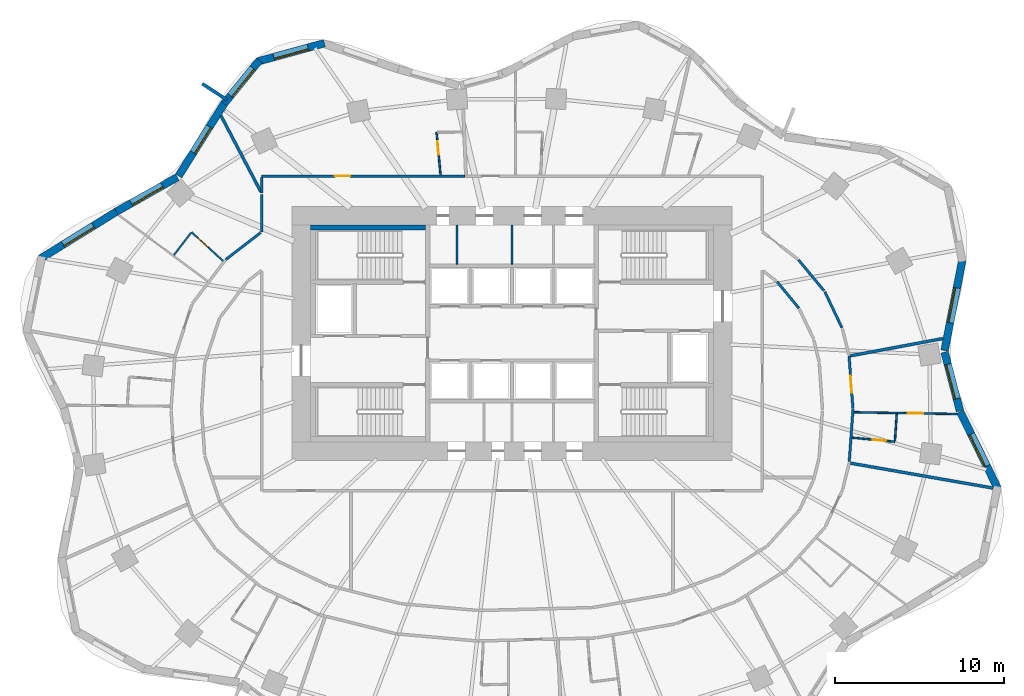
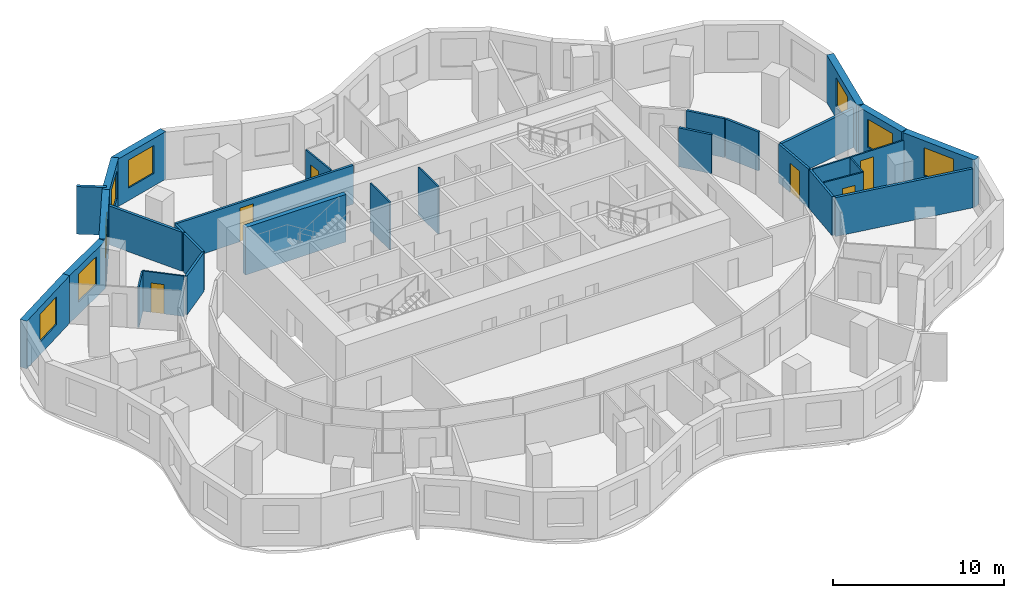
# One storey, part 7 of 10: 30 walls, 8 windows, 6 doors, 14 openings.
"""IFC4 building model written with IfcOpenShell, lengths in metres."""

from ifc_helpers import new_model, si_unit, direction, frame, frame_2d, origin, place, context, subcontext, project, spatial, rectangle, extrude, material, layer, layer_set, type_object, element, fill, save


model = new_model("IFC4")

# Units and contexts
model_context = context("Model", 3, precision=1e-05, world=origin(), true_north=direction((0.0, 1.0)))
body_context = subcontext(model_context, "Body", "Model", "MODEL_VIEW")
ifc_project = project(units=[si_unit("LENGTHUNIT", "METRE"), si_unit("AREAUNIT", "SQUARE_METRE"), si_unit("VOLUMEUNIT", "CUBIC_METRE"), si_unit("PLANEANGLEUNIT", "RADIAN"), si_unit("MASSUNIT", "GRAM", prefix="KILO")], contexts=[model_context])

# Site, building, storey
site_placement = place(None, origin())
site = spatial("IfcSite", under=ifc_project, at=site_placement, CompositionType="ELEMENT")
building_placement = place(site_placement, origin())
building = spatial("IfcBuilding", under=site, at=building_placement, Name="Rubra Terraces Tower", CompositionType="ELEMENT")
storey_placement = place(building_placement, frame((0.0, 0.0, 92.39990234375)))
storey = spatial("IfcBuildingStorey", under=building, at=storey_placement, Name="L21", CompositionType="ELEMENT", Elevation=92.39990234375)

# Walls
ifc_material_1 = material(Name="Twin plasterboard on staggered steel stud, acoustic mineral wool", Category="steel")
ifc_layer_1 = layer(ifc_material_1, 0.175048828125)
ifc_layer_set_1 = layer_set([ifc_layer_1], Name="Twin plasterboard on staggered steel stud, acoustic mineral wool")
wall_type_1 = type_object("IfcWallType", Name="ACOUSTIC PARTY WALL 175", PredefinedType="PARTITIONING", material=ifc_layer_set_1)
wall_1_placement = place(storey_placement, frame((-17.19287109375, 17.35986328125, 0.0), z_axis=(0.0, 0.0, 1.0), x_axis=(0.46402494572, -0.885822132118, 0.0)))
element("IfcWall", 1, at=wall_1_placement, inside=storey, type_object=wall_type_1, Name="PARTITION", PredefinedType="PARTITIONING", context=body_context, shape_type="SweptSolid", body=[
    extrude(rectangle(XDim=5.08203125, YDim=0.175048828125, at=frame_2d((2.541015625, 0.0))), origin(), (0.0, 0.0, 1.0), 2.7841796875),
])
wall_2_placement = place(storey_placement, frame((28.435791015625, -4.63818359375, 0.0), z_axis=(0.0, 0.0, 1.0), x_axis=(-0.985072773891, 0.172138404023, 0.0)))
element("IfcWall", 2, at=wall_2_placement, inside=storey, type_object=wall_type_1, Name="PARTITION", PredefinedType="PARTITIONING", context=body_context, shape_type="SweptSolid", body=[
    extrude(rectangle(XDim=8.56787109375, YDim=0.175048828125, at=frame_2d((4.283935546875, 0.0))), origin(), (0.0, 0.0, 1.0), 2.7841796875),
])
wall_3_placement = place(storey_placement, frame((25.466796875, 4.198974609375, 0.0), z_axis=(0.0, 0.0, 1.0), x_axis=(-0.982999998107, -0.183605565608, 0.0)))
element("IfcWall", 3, at=wall_3_placement, inside=storey, type_object=wall_type_1, Name="PARTITION", PredefinedType="PARTITIONING", context=body_context, shape_type="SweptSolid", body=[
    extrude(rectangle(XDim=5.56884765625, YDim=0.175048828125, at=frame_2d((2.784423828125, 0.0))), origin(), (0.0, 0.0, 1.0), 2.7841796875),
])

# Wall, opening, window
ifc_material_2 = material(Name="Brick masonry red-brown", Category="masonry")
ifc_layer_2 = layer(ifc_material_2, 0.449951171875)
ifc_layer_set_2 = layer_set([ifc_layer_2], Name="Brick masonry red-brown")
wall_type_2 = type_object("IfcWallType", Name="Brick facade wall 450", PredefinedType="SOLIDWALL", material=ifc_layer_set_2)
wall_4_placement = place(storey_placement, frame((26.469482421875, -0.0791015625, 0.0), z_axis=(0.0, 0.0, 1.0), x_axis=(-0.252446779859, 0.967610780913, 0.0)))
wall_4 = element("IfcWall", 4, at=wall_4_placement, inside=storey, type_object=wall_type_2, Name="Facade wall L21 bay 1", PredefinedType="SOLIDWALL", context=body_context, shape_type="SweptSolid", body=[
    extrude(rectangle(XDim=3.5947265625, YDim=0.449951171875, at=frame_2d((1.79736328125, 0.0))), origin(), (0.0, 0.0, 1.0), 3.400146484375),
])
opening_1_placement = place(wall_4_placement, frame((0.747314453125, 0.0, 0.89990234375)))
opening_1 = element("IfcOpeningElement", 5, at=opening_1_placement, cuts=wall_4, Name="Opening W1", PredefinedType="OPENING", context=body_context, shape_type="SweptSolid", body=[
    extrude(rectangle(XDim=2.10009765625, YDim=2.0, at=frame_2d((1.050048828125, 1.0))), frame((0.0, 0.23486328125, 0.0), z_axis=(0.0, -1.0, 0.0), x_axis=(1.0, 0.0, 0.0)), (0.0, 0.0, 1.0), 0.469970703125),
])
ifc_material_3 = material(Name="Clear glass in aluminium frame", Category="aluminium")
window_type_1 = type_object("IfcWindowType", Name="Fixed deep-set window 2100 x 2000", PartitioningType="SINGLE_PANEL", PredefinedType="WINDOW", material=ifc_material_3)
window_1_placement = place(opening_1_placement, origin())
window_1 = element("IfcWindow", 6, at=window_1_placement, inside=storey, type_object=window_type_1, Name="Window L21 bay 1", OverallHeight=2.0, OverallWidth=2.10009765625, PartitioningType="SINGLE_PANEL", PredefinedType="WINDOW", context=body_context, shape_type="SweptSolid", body=[
    extrude(rectangle(XDim=2.10009765625, YDim=2.0, at=frame_2d((1.050048828125, 1.0))), frame((0.0, 0.135009765625, 0.0), z_axis=(0.0, -1.0, 0.0), x_axis=(1.0, 0.0, 0.0)), (0.0, 0.0, 1.0), 0.06005859375),
])
fill(opening_1, window_1)

wall_5_placement = place(storey_placement, frame((25.561279296875, 3.490478515625, 0.0), z_axis=(0.0, 0.0, 1.0), x_axis=(0.192494026297, 0.981298145234, 0.0)))
wall_5 = element("IfcWall", 7, at=wall_5_placement, inside=storey, type_object=wall_type_2, Name="Facade wall L21 bay 2", PredefinedType="SOLIDWALL", context=body_context, shape_type="SweptSolid", body=[
    extrude(rectangle(XDim=5.446044921875, YDim=0.449951171875, at=frame_2d((2.72314453125, 0.0))), origin(), (0.0, 0.0, 1.0), 3.400146484375),
])
opening_2_placement = place(wall_5_placement, frame((1.673095703125, 0.0, 0.89990234375)))
opening_2 = element("IfcOpeningElement", 8, at=opening_2_placement, cuts=wall_5, Name="Opening W1", PredefinedType="OPENING", context=body_context, shape_type="SweptSolid", body=[
    extrude(rectangle(XDim=2.10009765625, YDim=2.0, at=frame_2d((1.050048828125, 1.0))), frame((0.0, 0.23486328125, 0.0), z_axis=(0.0, -1.0, 0.0), x_axis=(1.0, 0.0, 0.0)), (0.0, 0.0, 1.0), 0.469970703125),
])
window_2_placement = place(opening_2_placement, origin())
window_2 = element("IfcWindow", 9, at=window_2_placement, inside=storey, type_object=window_type_1, Name="Window L21 bay 2", OverallHeight=2.0, OverallWidth=2.10009765625, PartitioningType="SINGLE_PANEL", PredefinedType="WINDOW", context=body_context, shape_type="SweptSolid", body=[
    extrude(rectangle(XDim=2.10009765625, YDim=2.0, at=frame_2d((1.050048828125, 1.0))), frame((0.0, 0.135009765625, 0.0), z_axis=(0.0, -1.0, 0.0), x_axis=(1.0, 0.0, 0.0)), (0.0, 0.0, 1.0), 0.06005859375),
])
fill(opening_2, window_2)

wall_6_placement = place(storey_placement, frame((-11.08251953125, 21.64990234375, 0.0), z_axis=(0.0, 0.0, 1.0), x_axis=(-0.964483204983, -0.264144179011, 0.0)))
wall_6 = element("IfcWall", 10, at=wall_6_placement, inside=storey, type_object=wall_type_2, Name="Facade wall L21 bay 14", PredefinedType="SOLIDWALL", context=body_context, shape_type="SweptSolid", body=[
    extrude(rectangle(XDim=4.103759765625, YDim=0.449951171875, at=frame_2d((2.0517578125, 0.0))), origin(), (0.0, 0.0, 1.0), 3.400146484375),
])
opening_3_placement = place(wall_6_placement, frame((1.001953125, 0.0, 0.89990234375)))
opening_3 = element("IfcOpeningElement", 11, at=opening_3_placement, cuts=wall_6, Name="Opening W1", PredefinedType="OPENING", context=body_context, shape_type="SweptSolid", body=[
    extrude(rectangle(XDim=2.10009765625, YDim=2.0, at=frame_2d((1.050048828125, 1.0))), frame((0.0, 0.23486328125, 0.0), z_axis=(0.0, -1.0, 0.0), x_axis=(1.0, 0.0, 0.0)), (0.0, 0.0, 1.0), 0.469970703125),
])
window_3_placement = place(opening_3_placement, origin())
window_3 = element("IfcWindow", 12, at=window_3_placement, inside=storey, type_object=window_type_1, Name="Window L21 bay 14", OverallHeight=2.0, OverallWidth=2.10009765625, PartitioningType="SINGLE_PANEL", PredefinedType="WINDOW", context=body_context, shape_type="SweptSolid", body=[
    extrude(rectangle(XDim=2.10009765625, YDim=2.0, at=frame_2d((1.050048828125, 1.0))), frame((0.0, 0.135009765625, 0.0), z_axis=(0.0, -1.0, 0.0), x_axis=(1.0, 0.0, 0.0)), (0.0, 0.0, 1.0), 0.06005859375),
])
fill(opening_3, window_3)

wall_7_placement = place(storey_placement, frame((-14.925537109375, 20.640869140625, 0.0), z_axis=(0.0, 0.0, 1.0), x_axis=(-0.631548074669, -0.775336720001, 0.0)))
wall_7 = element("IfcWall", 13, at=wall_7_placement, inside=storey, type_object=wall_type_2, Name="Facade wall L21 bay 15", PredefinedType="SOLIDWALL", context=body_context, shape_type="SweptSolid", body=[
    extrude(rectangle(XDim=3.3076171875, YDim=0.449951171875, at=frame_2d((1.65380859375, 0.0))), origin(), (0.0, 0.0, 1.0), 3.400146484375),
])
opening_4_placement = place(wall_7_placement, frame((0.603759765625, 0.0, 0.89990234375)))
opening_4 = element("IfcOpeningElement", 14, at=opening_4_placement, cuts=wall_7, Name="Opening W1", PredefinedType="OPENING", context=body_context, shape_type="SweptSolid", body=[
    extrude(rectangle(XDim=2.10009765625, YDim=2.0, at=frame_2d((1.050048828125, 1.0))), frame((0.0, 0.23486328125, 0.0), z_axis=(0.0, -1.0, 0.0), x_axis=(1.0, 0.0, 0.0)), (0.0, 0.0, 1.0), 0.469970703125),
])
window_4_placement = place(opening_4_placement, origin())
window_4 = element("IfcWindow", 15, at=window_4_placement, inside=storey, type_object=window_type_1, Name="Window L21 bay 15", OverallHeight=2.0, OverallWidth=2.10009765625, PartitioningType="SINGLE_PANEL", PredefinedType="WINDOW", context=body_context, shape_type="SweptSolid", body=[
    extrude(rectangle(XDim=2.10009765625, YDim=2.0, at=frame_2d((1.050048828125, 1.0))), frame((0.0, 0.135009765625, 0.0), z_axis=(0.0, -1.0, 0.0), x_axis=(1.0, 0.0, 0.0)), (0.0, 0.0, 1.0), 0.06005859375),
])
fill(opening_4, window_4)

wall_8_placement = place(storey_placement, frame((-16.998291015625, 18.0986328125, 0.0), z_axis=(0.0, 0.0, 1.0), x_axis=(-0.532745661304, -0.846275404559, 0.0)))
wall_8 = element("IfcWall", 16, at=wall_8_placement, inside=storey, type_object=wall_type_2, Name="Facade wall L21 bay 16", PredefinedType="SOLIDWALL", context=body_context, shape_type="SweptSolid", body=[
    extrude(rectangle(XDim=5.076171875, YDim=0.449951171875, at=frame_2d((2.5380859375, 0.0))), origin(), (0.0, 0.0, 1.0), 3.400146484375),
])
opening_5_placement = place(wall_8_placement, frame((1.63818359375, 0.0, 0.89990234375)))
opening_5 = element("IfcOpeningElement", 17, at=opening_5_placement, cuts=wall_8, Name="Opening W6", PredefinedType="OPENING", context=body_context, shape_type="SweptSolid", body=[
    extrude(rectangle(XDim=1.800048828125, YDim=2.0, at=frame_2d((0.89990234375, 1.0))), frame((0.0, 0.23486328125, 0.0), z_axis=(0.0, -1.0, 0.0), x_axis=(1.0, 0.0, 0.0)), (0.0, 0.0, 1.0), 0.469970703125),
])
window_type_2 = type_object("IfcWindowType", Name="Fixed deep-set window at wind fin 1800 x 2000", PartitioningType="SINGLE_PANEL", PredefinedType="WINDOW", material=ifc_material_3)
window_5_placement = place(opening_5_placement, origin())
window_5 = element("IfcWindow", 18, at=window_5_placement, inside=storey, type_object=window_type_2, Name="Window L21 bay 16", OverallHeight=2.0, OverallWidth=1.800048828125, PartitioningType="SINGLE_PANEL", PredefinedType="WINDOW", context=body_context, shape_type="SweptSolid", body=[
    extrude(rectangle(XDim=1.800048828125, YDim=2.0, at=frame_2d((0.89990234375, 1.0))), frame((0.0, 0.135009765625, 0.0), z_axis=(0.0, -1.0, 0.0), x_axis=(1.0, 0.0, 0.0)), (0.0, 0.0, 1.0), 0.06005859375),
])
fill(opening_5, window_5)

wall_9_placement = place(storey_placement, frame((-19.77587890625, 13.730712890625, 0.0), z_axis=(0.0, 0.0, 1.0), x_axis=(-0.870610133829, -0.491973571318, 0.0)))
wall_9 = element("IfcWall", 19, at=wall_9_placement, inside=storey, type_object=wall_type_2, Name="Facade wall L21 bay 17", PredefinedType="SOLIDWALL", context=body_context, shape_type="SweptSolid", body=[
    extrude(rectangle(XDim=4.1337890625, YDim=0.449951171875, at=frame_2d((2.06689453125, 0.0))), origin(), (0.0, 0.0, 1.0), 3.400146484375),
])
opening_6_placement = place(wall_9_placement, frame((1.016845703125, 0.0, 0.89990234375)))
opening_6 = element("IfcOpeningElement", 20, at=opening_6_placement, cuts=wall_9, Name="Opening W1", PredefinedType="OPENING", context=body_context, shape_type="SweptSolid", body=[
    extrude(rectangle(XDim=2.10009765625, YDim=2.0, at=frame_2d((1.050048828125, 1.0))), frame((0.0, 0.23486328125, 0.0), z_axis=(0.0, -1.0, 0.0), x_axis=(1.0, 0.0, 0.0)), (0.0, 0.0, 1.0), 0.469970703125),
])
window_6_placement = place(opening_6_placement, origin())
window_6 = element("IfcWindow", 21, at=window_6_placement, inside=storey, type_object=window_type_1, Name="Window L21 bay 17", OverallHeight=2.0, OverallWidth=2.10009765625, PartitioningType="SINGLE_PANEL", PredefinedType="WINDOW", context=body_context, shape_type="SweptSolid", body=[
    extrude(rectangle(XDim=2.10009765625, YDim=2.0, at=frame_2d((1.050048828125, 1.0))), frame((0.0, 0.135009765625, 0.0), z_axis=(0.0, -1.0, 0.0), x_axis=(1.0, 0.0, 0.0)), (0.0, 0.0, 1.0), 0.06005859375),
])
fill(opening_6, window_6)

wall_10_placement = place(storey_placement, frame((-23.368408203125, 11.700927734375, 0.0), z_axis=(0.0, 0.0, 1.0), x_axis=(-0.850251408633, -0.526376806211, 0.0)))
wall_10 = element("IfcWall", 22, at=wall_10_placement, inside=storey, type_object=wall_type_2, Name="Facade wall L21 bay 18", PredefinedType="SOLIDWALL", context=body_context, shape_type="SweptSolid", body=[
    extrude(rectangle(XDim=5.30224609375, YDim=0.449951171875, at=frame_2d((2.651123046875, 0.0))), origin(), (0.0, 0.0, 1.0), 3.400146484375),
])
opening_7_placement = place(wall_10_placement, frame((1.601318359375, 0.0, 0.89990234375)))
opening_7 = element("IfcOpeningElement", 23, at=opening_7_placement, cuts=wall_10, Name="Opening W1", PredefinedType="OPENING", context=body_context, shape_type="SweptSolid", body=[
    extrude(rectangle(XDim=2.10009765625, YDim=2.0, at=frame_2d((1.050048828125, 1.0))), frame((0.0, 0.23486328125, 0.0), z_axis=(0.0, -1.0, 0.0), x_axis=(1.0, 0.0, 0.0)), (0.0, 0.0, 1.0), 0.469970703125),
])
window_7_placement = place(opening_7_placement, origin())
window_7 = element("IfcWindow", 24, at=window_7_placement, inside=storey, type_object=window_type_1, Name="Window L21 bay 18", OverallHeight=2.0, OverallWidth=2.10009765625, PartitioningType="SINGLE_PANEL", PredefinedType="WINDOW", context=body_context, shape_type="SweptSolid", body=[
    extrude(rectangle(XDim=2.10009765625, YDim=2.0, at=frame_2d((1.050048828125, 1.0))), frame((0.0, 0.135009765625, 0.0), z_axis=(0.0, -1.0, 0.0), x_axis=(1.0, 0.0, 0.0)), (0.0, 0.0, 1.0), 0.06005859375),
])
fill(opening_7, window_7)

wall_11_placement = place(storey_placement, frame((28.70703125, -4.672119140625, 0.0), z_axis=(0.0, 0.0, 1.0), x_axis=(-0.439053549989, 0.898460895221, 0.0)))
wall_11 = element("IfcWall", 25, at=wall_11_placement, inside=storey, type_object=wall_type_2, Name="Facade wall L21 bay 40", PredefinedType="SOLIDWALL", context=body_context, shape_type="SweptSolid", body=[
    extrude(rectangle(XDim=5.061767578125, YDim=0.449951171875, at=frame_2d((2.53076171875, 0.0))), origin(), (0.0, 0.0, 1.0), 3.400146484375),
])
opening_8_placement = place(wall_11_placement, frame((1.48095703125, 0.0, 0.89990234375)))
opening_8 = element("IfcOpeningElement", 26, at=opening_8_placement, cuts=wall_11, Name="Opening W1", PredefinedType="OPENING", context=body_context, shape_type="SweptSolid", body=[
    extrude(rectangle(XDim=2.10009765625, YDim=2.0, at=frame_2d((1.050048828125, 1.0))), frame((0.0, 0.23486328125, 0.0), z_axis=(0.0, -1.0, 0.0), x_axis=(1.0, 0.0, 0.0)), (0.0, 0.0, 1.0), 0.469970703125),
])
window_8_placement = place(opening_8_placement, origin())
window_8 = element("IfcWindow", 27, at=window_8_placement, inside=storey, type_object=window_type_1, Name="Window L21 bay 40", OverallHeight=2.0, OverallWidth=2.10009765625, PartitioningType="SINGLE_PANEL", PredefinedType="WINDOW", context=body_context, shape_type="SweptSolid", body=[
    extrude(rectangle(XDim=2.10009765625, YDim=2.0, at=frame_2d((1.050048828125, 1.0))), frame((0.0, 0.135009765625, 0.0), z_axis=(0.0, -1.0, 0.0), x_axis=(1.0, 0.0, 0.0)), (0.0, 0.0, 1.0), 0.06005859375),
])
fill(opening_8, window_8)

# Wall
ifc_layer_3 = layer(ifc_material_2, 0.199951171875)
ifc_layer_set_3 = layer_set([ifc_layer_3], Name="Brick masonry red-brown")
wall_type_3 = type_object("IfcWallType", Name="Brick wind fin 200", PredefinedType="SOLIDWALL", material=ifc_layer_set_3)
wall_12_placement = place(storey_placement, frame((-16.837890625, 18.298095703125, 0.0), z_axis=(0.0, 0.0, 1.0), x_axis=(-0.835871900419, 0.548924554097, 0.0)))
element("IfcWall", 28, at=wall_12_placement, inside=storey, type_object=wall_type_3, Name="Wind fin L21 9", PredefinedType="SOLIDWALL", context=body_context, shape_type="SweptSolid", body=[
    extrude(rectangle(XDim=1.750244140625, YDim=0.199951171875, at=frame_2d((0.875, 0.0))), origin(), (0.0, 0.0, 1.0), 3.400146484375),
])

# Wall, opening, door
ifc_material_4 = material(Name="Plasterboard on steel stud, mineral wool infill", Category="steel")
ifc_layer_4 = layer(ifc_material_4, 0.14990234375)
ifc_layer_set_4 = layer_set([ifc_layer_4], Name="Plasterboard on steel stud, mineral wool infill")
wall_type_4 = type_object("IfcWallType", Name="CORRIDOR PARTITION 150", PredefinedType="PARTITIONING", material=ifc_layer_set_4)
wall_13_placement = place(storey_placement, frame((-2.7919921875, 13.800048828125, 0.0), z_axis=(0.0, 0.0, 1.0), x_axis=(-1.0, 0.0, 0.0)))
wall_13 = element("IfcWall", 29, at=wall_13_placement, inside=storey, type_object=wall_type_4, Name="PARTITION", PredefinedType="PARTITIONING", context=body_context, shape_type="SweptSolid", body=[
    extrude(rectangle(XDim=12.008056640625, YDim=0.14990234375, at=frame_2d((6.00390625, 0.0))), origin(), (0.0, 0.0, 1.0), 2.7841796875),
])
opening_9_placement = place(wall_13_placement, frame((6.77099609375, 0.0, 0.0)))
opening_9 = element("IfcOpeningElement", 30, at=opening_9_placement, cuts=wall_13, Name="Opening 21-105", PredefinedType="OPENING", context=body_context, shape_type="SweptSolid", body=[
    extrude(rectangle(XDim=0.89990234375, YDim=2.39990234375, at=frame_2d((0.449951171875, 1.199951171875))), frame((0.0, 0.0849609375, 0.0), z_axis=(0.0, -1.0, 0.0), x_axis=(1.0, 0.0, 0.0)), (0.0, 0.0, 1.0), 0.169921875),
])
ifc_material_5 = material(Name="Veneered timber door leaf, fire-rated", Category="wood")
door_type_1 = type_object("IfcDoorType", Name="SUITE ENTRANCE DOOR 900 X 2400", OperationType="SINGLE_SWING_LEFT", PredefinedType="DOOR", material=ifc_material_5)
door_1_placement = place(opening_9_placement, origin())
door_1 = element("IfcDoor", 31, at=door_1_placement, inside=storey, type_object=door_type_1, Name="DOOR 21-105", OperationType="SINGLE_SWING_RIGHT", OverallHeight=2.39990234375, OverallWidth=0.89990234375, PredefinedType="DOOR", context=body_context, shape_type="SweptSolid", body=[
    extrude(rectangle(XDim=0.89990234375, YDim=2.39990234375, at=frame_2d((0.449951171875, 1.199951171875))), frame((0.0, 0.02490234375, 0.0), z_axis=(0.0, -1.0, 0.0), x_axis=(1.0, 0.0, 0.0)), (0.0, 0.0, 1.0), 0.050048828125),
])
fill(opening_9, door_1)

# Walls
wall_14_placement = place(storey_placement, frame((-14.800048828125, 13.72509765625, 0.0), z_axis=(0.0, 0.0, 1.0), x_axis=(0.0, -1.0, 0.0)))
element("IfcWall", 32, at=wall_14_placement, inside=storey, type_object=wall_type_4, Name="PARTITION", PredefinedType="PARTITIONING", context=body_context, shape_type="SweptSolid", body=[
    extrude(rectangle(XDim=0.933349609375, YDim=0.14990234375, at=frame_2d((0.466796875, 0.0))), origin(), (0.0, 0.0, 1.0), 2.7841796875),
])
wall_15_placement = place(storey_placement, frame((-14.800048828125, 12.716796875, 0.0), z_axis=(0.0, 0.0, 1.0), x_axis=(0.0, -1.0, 0.0)))
element("IfcWall", 33, at=wall_15_placement, inside=storey, type_object=wall_type_4, Name="PARTITION", PredefinedType="PARTITIONING", context=body_context, shape_type="SweptSolid", body=[
    extrude(rectangle(XDim=2.219970703125, YDim=0.14990234375, at=frame_2d((1.10986328125, 0.0))), origin(), (0.0, 0.0, 1.0), 2.7841796875),
])
wall_16_placement = place(storey_placement, frame((-14.859619140625, 10.451171875, 0.0), z_axis=(0.0, 0.0, 1.0), x_axis=(-0.791542595332, -0.611113999001, 0.0)))
element("IfcWall", 34, at=wall_16_placement, inside=storey, type_object=wall_type_4, Name="PARTITION", PredefinedType="PARTITIONING", context=body_context, shape_type="SweptSolid", body=[
    extrude(rectangle(XDim=2.604736328125, YDim=0.14990234375, at=frame_2d((1.30224609375, 0.0))), origin(), (0.0, 0.0, 1.0), 2.7841796875),
])
wall_17_placement = place(storey_placement, frame((19.92724609375, -3.07568359375, 0.0), z_axis=(0.0, 0.0, 1.0), x_axis=(0.071888451482, 0.997412678155, 0.0)))
element("IfcWall", 35, at=wall_17_placement, inside=storey, type_object=wall_type_4, Name="PARTITION", PredefinedType="PARTITIONING", context=body_context, shape_type="SweptSolid", body=[
    extrude(rectangle(XDim=3.083740234375, YDim=0.14990234375, at=frame_2d((1.5419921875, 0.0))), origin(), (0.0, 0.0, 1.0), 2.7841796875),
])

# Wall, opening, door
wall_18_placement = place(storey_placement, frame((20.1435546875, 0.07470703125, 0.0), z_axis=(0.0, 0.0, 1.0), x_axis=(-0.072547105324, 0.997364987108, 0.0)))
wall_18 = element("IfcWall", 36, at=wall_18_placement, inside=storey, type_object=wall_type_4, Name="PARTITION", PredefinedType="PARTITIONING", context=body_context, shape_type="SweptSolid", body=[
    extrude(rectangle(XDim=3.095947265625, YDim=0.14990234375, at=frame_2d((1.5478515625, 0.0))), origin(), (0.0, 0.0, 1.0), 2.7841796875),
])
opening_10_placement = place(wall_18_placement, frame((0.93310546875, 0.0, 0.0)))
opening_10 = element("IfcOpeningElement", 37, at=opening_10_placement, cuts=wall_18, Name="Opening 21-126", PredefinedType="OPENING", context=body_context, shape_type="SweptSolid", body=[
    extrude(rectangle(XDim=1.0, YDim=2.10009765625, at=frame_2d((0.5, 1.050048828125))), frame((0.0, 0.0849609375, 0.0), z_axis=(0.0, -1.0, 0.0), x_axis=(1.0, 0.0, 0.0)), (0.0, 0.0, 1.0), 0.169921875),
])
ifc_material_6 = material(Name="Painted timber door leaf", Category="wood")
door_type_2 = type_object("IfcDoorType", Name="ROOM DOOR 1000 X 2100", OperationType="SINGLE_SWING_LEFT", PredefinedType="DOOR", material=ifc_material_6)
door_2_placement = place(opening_10_placement, origin())
door_2 = element("IfcDoor", 38, at=door_2_placement, inside=storey, type_object=door_type_2, Name="DOOR 21-126", OperationType="SINGLE_SWING_RIGHT", OverallHeight=2.10009765625, OverallWidth=1.0, PredefinedType="DOOR", context=body_context, shape_type="SweptSolid", body=[
    extrude(rectangle(XDim=1.0, YDim=2.10009765625, at=frame_2d((0.5, 1.050048828125))), frame((0.0, 0.02490234375, 0.0), z_axis=(0.0, -1.0, 0.0), x_axis=(1.0, 0.0, 0.0)), (0.0, 0.0, 1.0), 0.050048828125),
])
fill(opening_10, door_2)

# Walls
wall_19_placement = place(storey_placement, frame((19.495361328125, 4.836181640625, 0.0), z_axis=(0.0, 0.0, 1.0), x_axis=(-0.428157819028, 0.903703979191, 0.0)))
element("IfcWall", 39, at=wall_19_placement, inside=storey, type_object=wall_type_4, Name="PARTITION", PredefinedType="PARTITIONING", context=body_context, shape_type="SweptSolid", body=[
    extrude(rectangle(XDim=2.349365234375, YDim=0.14990234375, at=frame_2d((1.1748046875, 0.0))), origin(), (0.0, 0.0, 1.0), 2.7841796875),
])
wall_20_placement = place(storey_placement, frame((18.44189453125, 7.01708984375, 0.0), z_axis=(0.0, 0.0, 1.0), x_axis=(-0.636538018119, 0.7712453251, 0.0)))
element("IfcWall", 40, at=wall_20_placement, inside=storey, type_object=wall_type_4, Name="PARTITION", PredefinedType="PARTITIONING", context=body_context, shape_type="SweptSolid", body=[
    extrude(rectangle(XDim=2.388671875, YDim=0.14990234375, at=frame_2d((1.1943359375, 0.0))), origin(), (0.0, 0.0, 1.0), 2.7841796875),
])
wall_21_placement = place(storey_placement, frame((15.66162109375, 7.557861328125, 0.0), z_axis=(0.0, 0.0, 1.0), x_axis=(0.636500564941, -0.7712762351, 0.0)))
element("IfcWall", 41, at=wall_21_placement, inside=storey, type_object=wall_type_4, Name="PARTITION", PredefinedType="PARTITIONING", context=body_context, shape_type="SweptSolid", body=[
    extrude(rectangle(XDim=2.037841796875, YDim=0.14990234375, at=frame_2d((1.01904296875, 0.0))), origin(), (0.0, 0.0, 1.0), 2.7841796875),
])
ifc_material_7 = material(Name="Concrete C40", Category="concrete")
ifc_layer_5 = layer(ifc_material_7, 0.300048828125)
ifc_layer_set_5 = layer_set([ifc_layer_5], Name="Concrete C40")
wall_type_5 = type_object("IfcWallType", Name="Core lining wall 300 concrete", PredefinedType="SOLIDWALL", material=ifc_layer_set_5)
wall_22_placement = place(storey_placement, frame((-11.89990234375, 10.75, 0.0), z_axis=(0.0, 0.0, 1.0), x_axis=(1.0, 0.0, 0.0)))
element("IfcWall", 42, at=wall_22_placement, inside=storey, type_object=wall_type_5, Name="CORE LINING WALL L21", PredefinedType="SOLIDWALL", context=body_context, shape_type="SweptSolid", body=[
    extrude(rectangle(XDim=6.7998046875, YDim=0.300048828125, at=frame_2d((3.39990234375, 0.0))), origin(), (0.0, 0.0, 1.0), 3.400146484375),
])

# Wall, opening, door
ifc_material_8 = material(Name="Plasterboard on steel stud", Category="steel")
ifc_layer_6 = layer(ifc_material_8, 0.10009765625)
ifc_layer_set_6 = layer_set([ifc_layer_6], Name="Plasterboard on steel stud")
wall_type_6 = type_object("IfcWallType", Name="ROOM PARTITION 100", PredefinedType="PARTITIONING", material=ifc_layer_set_6)
wall_23_placement = place(storey_placement, frame((-4.223876953125, 13.874755859375, 0.0), z_axis=(0.0, 0.0, 1.0), x_axis=(-0.09127675815, 0.995825563752, 0.0)))
wall_23 = element("IfcWall", 43, at=wall_23_placement, inside=storey, type_object=wall_type_6, Name="PARTITION", PredefinedType="PARTITIONING", context=body_context, shape_type="SweptSolid", body=[
    extrude(rectangle(XDim=2.52490234375, YDim=0.10009765625, at=frame_2d((1.262451171875, 0.0))), origin(), (0.0, 0.0, 1.0), 2.884033203125),
])
opening_11_placement = place(wall_23_placement, frame((1.199951171875, 0.0, 0.0)))
opening_11 = element("IfcOpeningElement", 44, at=opening_11_placement, cuts=wall_23, Name="Opening 21-104", PredefinedType="OPENING", context=body_context, shape_type="SweptSolid", body=[
    extrude(rectangle(XDim=0.800048828125, YDim=2.10009765625, at=frame_2d((0.39990234375, 1.050048828125))), frame((0.0, 0.06005859375, 0.0), z_axis=(0.0, -1.0, 0.0), x_axis=(1.0, 0.0, 0.0)), (0.0, 0.0, 1.0), 0.1201171875),
])
door_type_3 = type_object("IfcDoorType", Name="BATHROOM DOOR 800 X 2100", OperationType="SINGLE_SWING_LEFT", PredefinedType="DOOR", material=ifc_material_6)
door_3_placement = place(opening_11_placement, origin())
door_3 = element("IfcDoor", 45, at=door_3_placement, inside=storey, type_object=door_type_3, Name="DOOR 21-104", OperationType="SINGLE_SWING_LEFT", OverallHeight=2.10009765625, OverallWidth=0.800048828125, PredefinedType="DOOR", context=body_context, shape_type="SweptSolid", body=[
    extrude(rectangle(XDim=0.800048828125, YDim=2.10009765625, at=frame_2d((0.39990234375, 1.050048828125))), frame((0.0, 0.02490234375, 0.0), z_axis=(0.0, -1.0, 0.0), x_axis=(1.0, 0.0, 0.0)), (0.0, 0.0, 1.0), 0.050048828125),
])
fill(opening_11, door_3)

wall_24_placement = place(storey_placement, frame((-17.072021484375, 8.784423828125, 0.0), z_axis=(0.0, 0.0, 1.0), x_axis=(-0.739033715027, 0.673668440743, 0.0)))
wall_24 = element("IfcWall", 46, at=wall_24_placement, inside=storey, type_object=wall_type_6, Name="PARTITION", PredefinedType="PARTITIONING", context=body_context, shape_type="SweptSolid", body=[
    extrude(rectangle(XDim=2.52490234375, YDim=0.10009765625, at=frame_2d((1.262451171875, 0.0))), origin(), (0.0, 0.0, 1.0), 2.884033203125),
])
opening_12_placement = place(wall_24_placement, frame((1.199951171875, 0.0, 0.0)))
opening_12 = element("IfcOpeningElement", 47, at=opening_12_placement, cuts=wall_24, Name="Opening 21-106", PredefinedType="OPENING", context=body_context, shape_type="SweptSolid", body=[
    extrude(rectangle(XDim=0.800048828125, YDim=2.10009765625, at=frame_2d((0.39990234375, 1.050048828125))), frame((0.0, 0.06005859375, 0.0), z_axis=(0.0, -1.0, 0.0), x_axis=(1.0, 0.0, 0.0)), (0.0, 0.0, 1.0), 0.1201171875),
])
door_4_placement = place(opening_12_placement, origin())
door_4 = element("IfcDoor", 48, at=door_4_placement, inside=storey, type_object=door_type_3, Name="DOOR 21-106", OperationType="SINGLE_SWING_LEFT", OverallHeight=2.10009765625, OverallWidth=0.800048828125, PredefinedType="DOOR", context=body_context, shape_type="SweptSolid", body=[
    extrude(rectangle(XDim=0.800048828125, YDim=2.10009765625, at=frame_2d((0.39990234375, 1.050048828125))), frame((0.0, 0.02490234375, 0.0), z_axis=(0.0, -1.0, 0.0), x_axis=(1.0, 0.0, 0.0)), (0.0, 0.0, 1.0), 0.050048828125),
])
fill(opening_12, door_4)

# Wall
wall_25_placement = place(storey_placement, frame((-18.968505859375, 10.44580078125, 0.0), z_axis=(0.0, 0.0, 1.0), x_axis=(-0.609696547105, -0.792634922551, 0.0)))
element("IfcWall", 49, at=wall_25_placement, inside=storey, type_object=wall_type_6, Name="PARTITION", PredefinedType="PARTITIONING", context=body_context, shape_type="SweptSolid", body=[
    extrude(rectangle(XDim=1.66015625, YDim=0.10009765625, at=frame_2d((0.830078125, 0.0))), origin(), (0.0, 0.0, 1.0), 2.884033203125),
])

# Wall, opening, door
wall_26_placement = place(storey_placement, frame((26.300537109375, -0.26025390625, 0.0), z_axis=(0.0, 0.0, 1.0), x_axis=(-0.999854069841, 0.017083296585, 0.0)))
wall_26 = element("IfcWall", 50, at=wall_26_placement, inside=storey, type_object=wall_type_6, Name="PARTITION", PredefinedType="PARTITIONING", context=body_context, shape_type="SweptSolid", body=[
    extrude(rectangle(XDim=6.088134765625, YDim=0.10009765625, at=frame_2d((3.0439453125, 0.0))), origin(), (0.0, 0.0, 1.0), 2.884033203125),
])
opening_13_placement = place(wall_26_placement, frame((2.012939453125, 0.0, 0.0)))
opening_13 = element("IfcOpeningElement", 51, at=opening_13_placement, cuts=wall_26, Name="Opening 21-125", PredefinedType="OPENING", context=body_context, shape_type="SweptSolid", body=[
    extrude(rectangle(XDim=0.89990234375, YDim=2.39990234375, at=frame_2d((0.449951171875, 1.199951171875))), frame((0.0, 0.06005859375, 0.0), z_axis=(0.0, -1.0, 0.0), x_axis=(1.0, 0.0, 0.0)), (0.0, 0.0, 1.0), 0.1201171875),
])
door_5_placement = place(opening_13_placement, origin())
door_5 = element("IfcDoor", 52, at=door_5_placement, inside=storey, type_object=door_type_1, Name="DOOR 21-125", OperationType="SINGLE_SWING_LEFT", OverallHeight=2.39990234375, OverallWidth=0.89990234375, PredefinedType="DOOR", context=body_context, shape_type="SweptSolid", body=[
    extrude(rectangle(XDim=0.89990234375, YDim=2.39990234375, at=frame_2d((0.449951171875, 1.199951171875))), frame((0.0, 0.02490234375, 0.0), z_axis=(0.0, -1.0, 0.0), x_axis=(1.0, 0.0, 0.0)), (0.0, 0.0, 1.0), 0.050048828125),
])
fill(opening_13, door_5)

wall_27_placement = place(storey_placement, frame((20.110595703125, -1.65869140625, 0.0), z_axis=(0.0, 0.0, 1.0), x_axis=(0.995500685727, -0.094754338774, 0.0)))
wall_27 = element("IfcWall", 53, at=wall_27_placement, inside=storey, type_object=wall_type_6, Name="PARTITION", PredefinedType="PARTITIONING", context=body_context, shape_type="SweptSolid", body=[
    extrude(rectangle(XDim=2.525146484375, YDim=0.10009765625, at=frame_2d((1.2626953125, 0.0))), origin(), (0.0, 0.0, 1.0), 2.884033203125),
])
opening_14_placement = place(wall_27_placement, frame((1.199951171875, 0.0, 0.0)))
opening_14 = element("IfcOpeningElement", 54, at=opening_14_placement, cuts=wall_27, Name="Opening 21-124", PredefinedType="OPENING", context=body_context, shape_type="SweptSolid", body=[
    extrude(rectangle(XDim=0.800048828125, YDim=2.10009765625, at=frame_2d((0.39990234375, 1.050048828125))), frame((0.0, 0.06005859375, 0.0), z_axis=(0.0, -1.0, 0.0), x_axis=(1.0, 0.0, 0.0)), (0.0, 0.0, 1.0), 0.1201171875),
])
door_6_placement = place(opening_14_placement, origin())
door_6 = element("IfcDoor", 55, at=door_6_placement, inside=storey, type_object=door_type_3, Name="DOOR 21-124", OperationType="SINGLE_SWING_LEFT", OverallHeight=2.10009765625, OverallWidth=0.800048828125, PredefinedType="DOOR", context=body_context, shape_type="SweptSolid", body=[
    extrude(rectangle(XDim=0.800048828125, YDim=2.10009765625, at=frame_2d((0.39990234375, 1.050048828125))), frame((0.0, 0.02490234375, 0.0), z_axis=(0.0, -1.0, 0.0), x_axis=(1.0, 0.0, 0.0)), (0.0, 0.0, 1.0), 0.050048828125),
])
fill(opening_14, door_6)

# Walls
wall_28_placement = place(storey_placement, frame((22.62744140625, -1.84814453125, 0.0), z_axis=(0.0, 0.0, 1.0), x_axis=(0.066883035763, 0.997760822806, 0.0)))
element("IfcWall", 56, at=wall_28_placement, inside=storey, type_object=wall_type_6, Name="PARTITION", PredefinedType="PARTITIONING", context=body_context, shape_type="SweptSolid", body=[
    extrude(rectangle(XDim=1.6025390625, YDim=0.10009765625, at=frame_2d((0.80126953125, 0.0))), origin(), (0.0, 0.0, 1.0), 2.884033203125),
])
ifc_material_9 = material(Name="Blockwork", Category="masonry")
ifc_layer_7 = layer(ifc_material_9, 0.10009765625)
ifc_layer_set_7 = layer_set([ifc_layer_7], Name="Blockwork")
wall_type_7 = type_object("IfcWallType", Name="Service partition 100 blockwork", PredefinedType="PARTITIONING", material=ifc_layer_set_7)
for number, where, z_axis, x_axis, name in (
    (57, (-3.25, 8.60009765625, 0.0), (0.0, 0.0, 1.0), (0.0, 1.0, 0.0), "SERVICE ROOM PARTITION L21"),
    (58, (0.0, 8.60009765625, 0.0), (0.0, 0.0, 1.0), (0.0, 1.0, 0.0), "SERVICE ROOM PARTITION L21"),
):
    element("IfcWall", number, at=place(storey_placement, frame(where, z_axis=z_axis, x_axis=x_axis)), inside=storey, type_object=wall_type_7, Name=name, PredefinedType="PARTITIONING", context=body_context, shape_type="SweptSolid", body=[
        extrude(rectangle(XDim=2.2998046875, YDim=0.10009765625, at=frame_2d((1.14990234375, 0.0))), origin(), (0.0, 0.0, 1.0), 3.400146484375),
    ])

save(model, "model.ifc")
